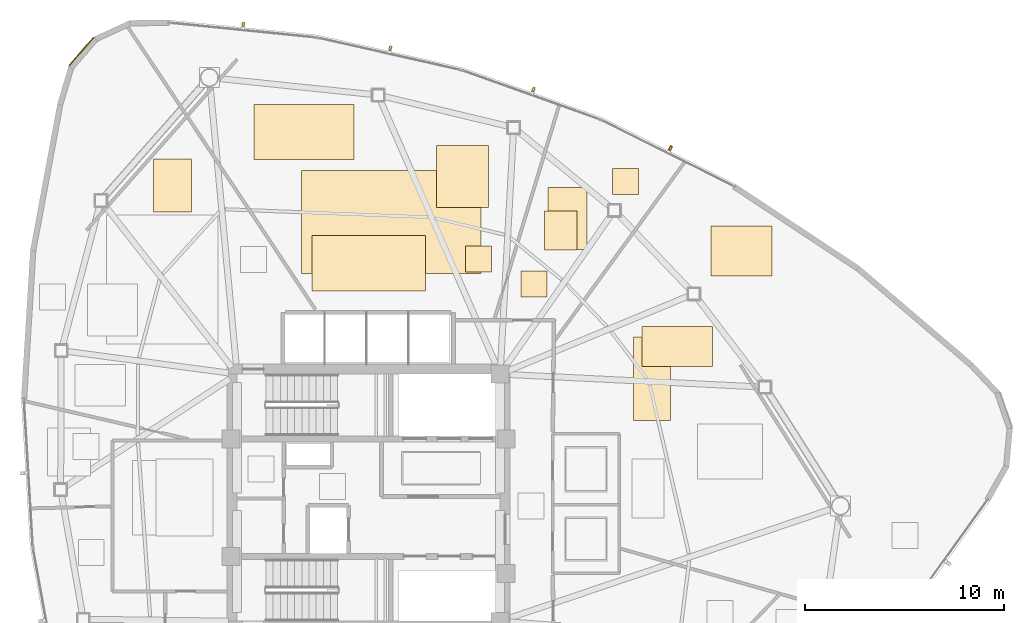
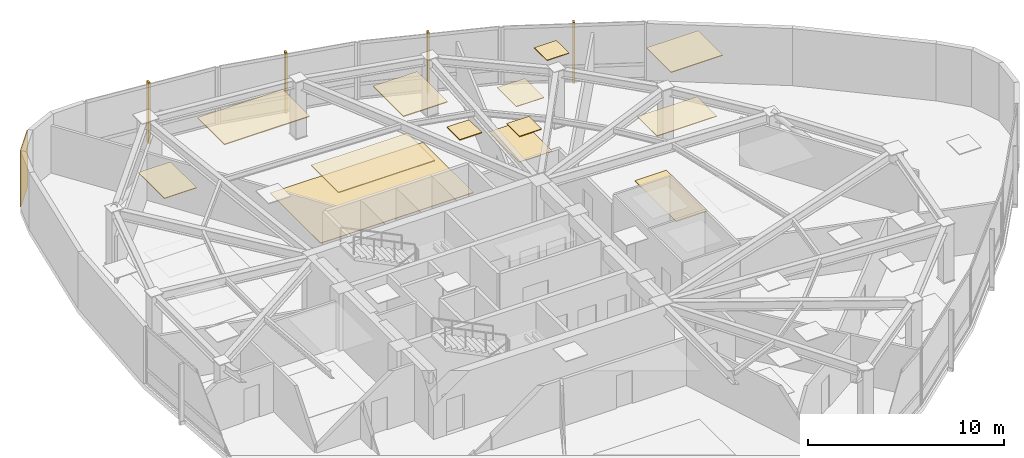
# One storey, part 17 of 17: 14 coverings, 4 shading devices.
"""IFC4 building model written with IfcOpenShell, lengths in metres."""

import ifcopenshell
import ifcopenshell.guid

model = None  # the IFC model being written
_history = None  # IfcOwnerHistory: only IFC2X3 demands one
_inside = {}  # id of a spatial element -> (the spatial element, [elements in it])
_under = {}  # id of a project, library or spatial element -> (it, [spatial elements below it])
_declared = {}  # id of a project -> (the project, [libraries it declares])
_typed = {}  # id of a type object -> (the type object, [elements of that type])
_made_of = {}  # id of a material, layer set ... -> (it, [elements and type objects made of it])


def new_model(schema):
    """Start an empty IFC model of exactly this schema.

    Asked for "IFC4X3", IfcOpenShell would pick the latest addendum, in which some entities
    have other attributes; the version numbers below select the first issue.
    IFC2X3 requires an IfcOwnerHistory on every rooted entity: one is made here for all.
    """
    global model, _history
    if schema == "IFC4X3":
        model = ifcopenshell.file(schema_version=(4, 3, 0, 0))
    else:
        model = ifcopenshell.file(schema=schema)
    _inside.clear()
    _under.clear()
    _declared.clear()
    _typed.clear()
    _made_of.clear()
    _history = None
    if model.schema == "IFC2X3":
        org = make("IfcOrganization", Name="unknown")
        user = make(
            "IfcPersonAndOrganization",
            ThePerson=make("IfcPerson", FamilyName="unknown"),
            TheOrganization=org,
        )
        app = make(
            "IfcApplication",
            ApplicationDeveloper=org,
            Version="unknown",
            ApplicationFullName="unknown",
            ApplicationIdentifier="unknown",
        )
        _history = make(
            "IfcOwnerHistory",
            OwningUser=user,
            OwningApplication=app,
            ChangeAction="ADDED",
            CreationDate=0,
        )
    return model


def make(cls, **values):
    """One entity of the class cls with the attributes given. An attribute that is None is left unset."""
    return model.create_entity(
        cls, **{name: value for name, value in values.items() if value is not None}
    )


def rooted(cls, **values):
    """An entity with a GlobalId (a new one), such as an element, a storey or a relation."""
    return make(cls, GlobalId=ifcopenshell.guid.new(), OwnerHistory=_history, **values)


def si_unit(unit_type, name, prefix=None):
    """IfcSIUnit, for example si_unit("LENGTHUNIT", "METRE", prefix="MILLI")."""
    return make("IfcSIUnit", UnitType=unit_type, Prefix=prefix, Name=name)


def assignment(units):
    """IfcUnitAssignment: the units of a project."""
    return None if units is None else make("IfcUnitAssignment", Units=units)


def point(xyz):
    """IfcCartesianPoint."""
    return None if xyz is None else make("IfcCartesianPoint", Coordinates=xyz)


def direction(xyz):
    """IfcDirection."""
    return None if xyz is None else make("IfcDirection", DirectionRatios=xyz)


def frame(location, z_axis=None, x_axis=None):
    """IfcAxis2Placement3D, a coordinate frame: its origin and axes. An axis left out is left unset."""
    return make(
        "IfcAxis2Placement3D",
        Location=point(location),
        Axis=direction(z_axis),
        RefDirection=direction(x_axis),
    )


def frame_2d(location, x_axis=None):
    """IfcAxis2Placement2D, a coordinate frame in the plane: its origin and x axis."""
    return make(
        "IfcAxis2Placement2D", Location=point(location), RefDirection=direction(x_axis)
    )


def origin():
    """The frame at (0, 0, 0) with its axes left unset."""
    return frame((0.0, 0.0, 0.0))


def origin_2d():
    """The frame at (0, 0) in the plane with its x axis left unset."""
    return frame_2d((0.0, 0.0))


def place(relative_to, where):
    """IfcLocalPlacement: puts the frame where relative to a parent placement (None: the world)."""
    return make(
        "IfcLocalPlacement", PlacementRelTo=relative_to, RelativePlacement=where
    )


def context(
    kind, dimensions, precision=None, world=None, true_north=None, identifier=None
):
    """IfcGeometricRepresentationContext, for example the 3D "Model" context."""
    return make(
        "IfcGeometricRepresentationContext",
        ContextIdentifier=identifier,
        ContextType=kind,
        CoordinateSpaceDimension=dimensions,
        Precision=precision,
        WorldCoordinateSystem=world,
        TrueNorth=true_north,
    )


def subcontext(parent, identifier, kind, view, scale=None):
    """IfcGeometricRepresentationSubContext, for example "Body" below "Model"."""
    return make(
        "IfcGeometricRepresentationSubContext",
        ContextIdentifier=identifier,
        ContextType=kind,
        ParentContext=parent,
        TargetScale=scale,
        TargetView=view,
    )


def project(units=None, contexts=None):
    """IfcProject with its units and contexts."""
    return rooted(
        "IfcProject",
        Name="project",
        RepresentationContexts=contexts,
        UnitsInContext=assignment(units),
    )


def spatial(cls, under=None, at=None, **own):
    """A site, building, storey or space (cls), placed at a placement, below another one or the project."""
    s = rooted(cls, ObjectPlacement=at, **own)
    if under is not None:
        _under.setdefault(under.id(), (under, []))[1].append(s)
    return s


def polyline(points):
    """IfcPolyline through the points."""
    return make("IfcPolyline", Points=[point(p) for p in points])


def profile(cls, at=None, kind="AREA", **sizes):
    """A parametric profile (cls). Its sizes go by their IFC names, for example OverallWidth=200.0."""
    return make(cls, ProfileType=kind, Position=at, **sizes)


def rectangle(**sizes):
    """IfcRectangleProfileDef."""
    return profile("IfcRectangleProfileDef", **sizes)


def outline(outer, holes=None, kind="AREA"):
    """IfcArbitraryClosedProfileDef: a profile drawn as a closed curve; with holes, ...WithVoids."""
    if holes is None:
        return make("IfcArbitraryClosedProfileDef", ProfileType=kind, OuterCurve=outer)
    return make(
        "IfcArbitraryProfileDefWithVoids",
        ProfileType=kind,
        OuterCurve=outer,
        InnerCurves=holes,
    )


def extrude(swept, where, along, depth):
    """IfcExtrudedAreaSolid: the profile swept, set in the frame where, extruded along a direction by depth."""
    return make(
        "IfcExtrudedAreaSolid",
        SweptArea=swept,
        Position=where,
        ExtrudedDirection=direction(along),
        Depth=depth,
    )


def shape(context_of_items, identifier, shape_type, items):
    """IfcShapeRepresentation: the items that make up one representation, for example the "Body"."""
    return make(
        "IfcShapeRepresentation",
        ContextOfItems=context_of_items,
        RepresentationIdentifier=identifier,
        RepresentationType=shape_type,
        Items=items,
    )


def source(mapping_origin, context_of_items, identifier, shape_type, items):
    """IfcRepresentationMap: a shape defined once, which mapped items show again and again."""
    return make(
        "IfcRepresentationMap",
        MappingOrigin=mapping_origin,
        MappedRepresentation=shape(context_of_items, identifier, shape_type, items),
    )


def transform(
    local_origin,
    x_axis=None,
    y_axis=None,
    z_axis=None,
    scale=None,
    scale2=None,
    scale3=None,
    uniform=True,
):
    """IfcCartesianTransformationOperator3D, or its non-uniform kind. x_axis, y_axis, z_axis: its Axis1, 2, 3."""
    if uniform:
        return make(
            "IfcCartesianTransformationOperator3D",
            Axis1=direction(x_axis),
            Axis2=direction(y_axis),
            LocalOrigin=point(local_origin),
            Scale=scale,
            Axis3=direction(z_axis),
        )
    return make(
        "IfcCartesianTransformationOperator3DnonUniform",
        Axis1=direction(x_axis),
        Axis2=direction(y_axis),
        LocalOrigin=point(local_origin),
        Scale=scale,
        Axis3=direction(z_axis),
        Scale2=scale2,
        Scale3=scale3,
    )


def mapped(mapping_source, mapping_target):
    """IfcMappedItem: shows the shape of a source again, moved by a transform."""
    return make(
        "IfcMappedItem", MappingSource=mapping_source, MappingTarget=mapping_target
    )


def material(Name=None, Category=None):
    """IfcMaterial."""
    return make("IfcMaterial", Name=Name, Category=Category)


def layer(
    of_material, thickness, ventilated=None, Name=None, Category=None, Priority=None
):
    """IfcMaterialLayer: one layer of a wall or slab, of a material (None: an air gap)."""
    return make(
        "IfcMaterialLayer",
        Material=of_material,
        LayerThickness=thickness,
        IsVentilated=ventilated,
        Name=Name,
        Category=Category,
        Priority=Priority,
    )


def layer_set(layers, Name=None):
    """IfcMaterialLayerSet."""
    return make("IfcMaterialLayerSet", MaterialLayers=layers, LayerSetName=Name)


def made_of(thing, what):
    """Note that an element or type object is made of a material, layer set ...; save() writes the relation."""
    if what is not None:
        _made_of.setdefault(what.id(), (what, []))[1].append(thing)
    return thing


def type_object(cls, material=None, **own):
    """A type object (cls), such as IfcWallType, which elements share."""
    return made_of(rooted(cls, **own), material)


def type_shapes(of_type, sources):
    """Give a type object the sources (RepresentationMaps) that its elements show as mapped items."""
    of_type.RepresentationMaps = sources


def element(
    cls,
    number,
    at=None,
    inside=None,
    cuts=None,
    type_object=None,
    material=None,
    context=None,
    identifier="Body",
    shape_type=None,
    held_by="IfcProductDefinitionShape",
    body=None,
    shapes=None,
    **own,
):
    """One element of the class cls, such as IfcWall. Its Tag is "e" and its number.

    at: its placement. inside: the storey or other place that contains it. cuts: it is an
    opening in that element (IfcRelVoidsElement). A single representation is given by context,
    identifier, shape_type and body (its items); several are given by shapes. held_by: the class
    of the entity that holds the representations. save() writes the other relations.
    """
    e = rooted(cls, Tag="e%d" % number, ObjectPlacement=at, **own)
    if body is not None:
        shapes = [shape(context, identifier, shape_type, body)]
    if shapes is not None:
        e.Representation = make(held_by, Representations=shapes)
    if inside is not None:
        _inside.setdefault(inside.id(), (inside, []))[1].append(e)
    if cuts is not None:
        rooted(
            "IfcRelVoidsElement", RelatingBuildingElement=cuts, RelatedOpeningElement=e
        )
    if type_object is not None:
        _typed.setdefault(type_object.id(), (type_object, []))[1].append(e)
    return made_of(e, material)


def aggregate(whole, parts):
    """IfcRelAggregates: a whole, such as a stair, and the parts it consists of."""
    return rooted("IfcRelAggregates", RelatingObject=whole, RelatedObjects=parts)


def save(model, path):
    """Write the relations noted so far, then the file.

    IfcRelAggregates (storeys below a building ...), IfcRelContainedInSpatialStructure (elements
    in a storey), IfcRelDefinesByType, IfcRelAssociatesMaterial and IfcRelDeclares: one each for
    every whole, place, type object, material and project.
    """
    for whole, parts in _under.values():
        aggregate(whole, parts)
    for where, things in _inside.values():
        rooted(
            "IfcRelContainedInSpatialStructure",
            RelatedElements=things,
            RelatingStructure=where,
        )
    for kind, things in _typed.values():
        rooted("IfcRelDefinesByType", RelatedObjects=things, RelatingType=kind)
    for what, things in _made_of.values():
        rooted("IfcRelAssociatesMaterial", RelatedObjects=things, RelatingMaterial=what)
    for by, libraries in _declared.values():
        rooted("IfcRelDeclares", RelatingContext=by, RelatedDefinitions=libraries)
    model.write(path)


model = new_model("IFC4")

# Units and contexts
model_context = context("Model", 3, precision=1e-05, world=origin(), true_north=direction((0.0, 1.0)))
body_context = subcontext(model_context, "Body", "Model", "MODEL_VIEW")
ifc_project = project(units=[si_unit("LENGTHUNIT", "METRE"), si_unit("AREAUNIT", "SQUARE_METRE"), si_unit("VOLUMEUNIT", "CUBIC_METRE"), si_unit("PLANEANGLEUNIT", "RADIAN"), si_unit("MASSUNIT", "GRAM", prefix="KILO")], contexts=[model_context])

# Site, building, storey
site_placement = place(None, origin())
site = spatial("IfcSite", under=ifc_project, at=site_placement, CompositionType="ELEMENT")
building_placement = place(site_placement, origin())
building = spatial("IfcBuilding", under=site, at=building_placement, Name="Tavelor Broadcast Tower", CompositionType="ELEMENT")
storey_placement = place(building_placement, frame((0.0, 0.0, 188.75)))
storey = spatial("IfcBuildingStorey", under=building, at=storey_placement, Name="L45", CompositionType="ELEMENT", Elevation=188.75)

# Coverings
ifc_material_1 = material(Name="Copper-Bronze Anodized Aluminium", Category="aluminium")
ifc_layer_1 = layer(ifc_material_1, 0.050048828125)
ifc_layer_set_1 = layer_set([ifc_layer_1], Name="Copper-Bronze Anodized Aluminium")
covering_type_1 = type_object("IfcCoveringType", Name="Champagne-Bronze Corner Pier Metal Cladding 50 mm", PredefinedType="CLADDING", material=ifc_layer_set_1)
covering_1_placement = place(storey_placement, frame((35.589599609375, 67.389892578125, 0.02001953125), z_axis=(0.0, 0.0, 1.0), x_axis=(-0.655400170912, -0.755281812285, 0.0)))
element("IfcCovering", 1, at=covering_1_placement, inside=storey, type_object=covering_type_1, Name="L45 Champagne-Bronze Corner Cladding 03", PredefinedType="CLADDING", context=body_context, shape_type="SweptSolid", body=[
    extrude(rectangle(XDim=1.86279296875, YDim=0.050048828125, at=origin_2d()), origin(), (0.0, 0.0, 1.0), 3.510009765625),
])
ifc_material_2 = material(Name="Acoustic Nylon Carpet Tile")
ifc_layer_2 = layer(ifc_material_2, 0.02001953125)
ifc_layer_set_2 = layer_set([ifc_layer_2], Name="Acoustic Nylon Carpet Tile")
covering_type_2 = type_object("IfcCoveringType", Name="Heavy-Duty Acoustic Broadcast Carpet Tile 20 mm", PredefinedType="FLOORING", material=ifc_layer_set_2)
covering_2_placement = place(storey_placement, origin())
element("IfcCovering", 2, at=covering_2_placement, inside=storey, type_object=covering_type_2, Name="L45 Broadcast Floor Finish 0678", PredefinedType="FLOORING", context=body_context, shape_type="SweptSolid", body=[
    extrude(outline(polyline([(63.284912109375, 48.86865234375), (65.14208984375, 48.86865234375), (65.14208984375, 53.0712890625), (63.284912109375, 53.0712890625), (63.284912109375, 48.86865234375)])), origin(), (0.0, 0.0, 1.0), 0.02001953125),
])
covering_3_placement = place(storey_placement, origin())
element("IfcCovering", 3, at=covering_3_placement, inside=storey, type_object=covering_type_2, Name="L45 Broadcast Floor Finish 0686", PredefinedType="FLOORING", context=body_context, shape_type="SweptSolid", body=[
    extrude(outline(polyline([(58.998046875, 57.4453125), (60.947265625, 57.4453125), (60.947265625, 60.5556640625), (58.998046875, 60.5556640625), (58.998046875, 57.4453125)])), origin(), (0.0, 0.0, 1.0), 0.02001953125),
])
ifc_material_3 = material(Name="Acoustic Hardwood Studio Flooring", Category="wood")
ifc_layer_3 = layer(ifc_material_3, 0.034912109375)
ifc_layer_set_3 = layer_set([ifc_layer_3], Name="Acoustic Hardwood Studio Flooring")
covering_type_3 = type_object("IfcCoveringType", Name="Isolated Studio Acoustic Elastomeric Floor Finish 35 mm", PredefinedType="FLOORING", material=ifc_layer_set_3)
covering_4_placement = place(storey_placement, origin())
element("IfcCovering", 4, at=covering_4_placement, inside=storey, type_object=covering_type_3, Name="L45 Broadcast Floor Finish 0685", PredefinedType="FLOORING", context=body_context, shape_type="SweptSolid", body=[
    extrude(outline(polyline([(46.624267578125, 56.251953125), (55.62646484375, 56.251953125), (55.62646484375, 61.406494140625), (46.624267578125, 61.406494140625), (46.624267578125, 56.251953125)])), origin(), (0.0, 0.0, 1.0), 0.034912109375),
])
ifc_material_4 = material(Name="Acoustic Perforated Timber Baffle", Category="wood")
ifc_layer_4 = layer(ifc_material_4, 0.054931640625)
ifc_layer_set_4 = layer_set([ifc_layer_4], Name="Acoustic Perforated Timber Baffle")
covering_type_4 = type_object("IfcCoveringType", Name="Micro-Perforated Acoustic Baffle Studio Ceiling 55 mm", PredefinedType="CEILING", material=ifc_layer_set_4)
covering_5_placement = place(storey_placement, frame((0.0, 0.0, 3.4951171875)))
element("IfcCovering", 5, at=covering_5_placement, inside=storey, type_object=covering_type_4, Name="L45 Suspended Acoustic Ceiling 1899", PredefinedType="CEILING", context=body_context, shape_type="SweptSolid", body=[
    extrude(outline(polyline([(54.8544921875, 56.322021484375), (56.154296875, 56.322021484375), (56.154296875, 57.6220703125), (54.8544921875, 57.6220703125), (54.8544921875, 56.322021484375)])), origin(), (0.0, 0.0, 1.0), 0.054931640625),
])
covering_6_placement = place(storey_placement, frame((0.0, 0.0, 3.4951171875)))
element("IfcCovering", 6, at=covering_6_placement, inside=storey, type_object=covering_type_4, Name="L45 Suspended Acoustic Ceiling 1900", PredefinedType="CEILING", context=body_context, shape_type="SweptSolid", body=[
    extrude(outline(polyline([(47.1611328125, 55.36083984375), (52.847412109375, 55.36083984375), (52.847412109375, 58.166015625), (47.1611328125, 58.166015625), (47.1611328125, 55.36083984375)])), origin(), (0.0, 0.0, 1.0), 0.054931640625),
])
covering_7_placement = place(storey_placement, frame((0.0, 0.0, 3.4951171875)))
element("IfcCovering", 7, at=covering_7_placement, inside=storey, type_object=covering_type_4, Name="L45 Suspended Acoustic Ceiling 1901", PredefinedType="CEILING", context=body_context, shape_type="SweptSolid", body=[
    extrude(outline(polyline([(44.25634765625, 61.967041015625), (49.278076171875, 61.967041015625), (49.278076171875, 64.71923828125), (44.25634765625, 64.71923828125), (44.25634765625, 61.967041015625)])), origin(), (0.0, 0.0, 1.0), 0.054931640625),
])
covering_8_placement = place(storey_placement, frame((0.0, 0.0, 3.4951171875)))
element("IfcCovering", 8, at=covering_8_placement, inside=storey, type_object=covering_type_4, Name="L45 Suspended Acoustic Ceiling 1902", PredefinedType="CEILING", context=body_context, shape_type="SweptSolid", body=[
    extrude(outline(polyline([(53.40771484375, 59.56494140625), (56.0146484375, 59.56494140625), (56.0146484375, 62.666015625), (53.40771484375, 62.666015625), (53.40771484375, 59.56494140625)])), origin(), (0.0, 0.0, 1.0), 0.054931640625),
])
ifc_material_5 = material(Name="Acoustic Mineral Fibre Tile")
ifc_layer_5 = layer(ifc_material_5, 0.0400390625)
ifc_layer_set_5 = layer_set([ifc_layer_5], Name="Acoustic Mineral Fibre Tile")
covering_type_5 = type_object("IfcCoveringType", Name="Suspended Acoustic Mineral-Fibre Office Ceiling 40 mm", PredefinedType="CEILING", material=ifc_layer_set_5)
covering_9_placement = place(storey_placement, frame((0.0, 0.0, 3.510009765625)))
element("IfcCovering", 9, at=covering_9_placement, inside=storey, type_object=covering_type_5, Name="L45 Suspended Acoustic Ceiling 1879", PredefinedType="CEILING", context=body_context, shape_type="SweptSolid", body=[
    extrude(outline(polyline([(67.179443359375, 56.127197265625), (70.228271484375, 56.127197265625), (70.228271484375, 58.643310546875), (67.179443359375, 58.643310546875), (67.179443359375, 56.127197265625)])), origin(), (0.0, 0.0, 1.0), 0.0400390625),
])
covering_10_placement = place(storey_placement, frame((0.0, 0.0, 3.510009765625)))
element("IfcCovering", 10, at=covering_10_placement, inside=storey, type_object=covering_type_5, Name="L45 Suspended Acoustic Ceiling 1880", PredefinedType="CEILING", context=body_context, shape_type="SweptSolid", body=[
    extrude(outline(polyline([(63.724365234375, 51.583740234375), (67.2587890625, 51.583740234375), (67.2587890625, 53.588134765625), (63.724365234375, 53.588134765625), (63.724365234375, 51.583740234375)])), origin(), (0.0, 0.0, 1.0), 0.0400390625),
])
covering_11_placement = place(storey_placement, frame((0.0, 0.0, 3.510009765625)))
element("IfcCovering", 11, at=covering_11_placement, inside=storey, type_object=covering_type_5, Name="L45 Suspended Acoustic Ceiling 1896", PredefinedType="CEILING", context=body_context, shape_type="SweptSolid", body=[
    extrude(outline(polyline([(39.20849609375, 59.33544921875), (41.107666015625, 59.33544921875), (41.107666015625, 61.997314453125), (39.20849609375, 61.997314453125), (39.20849609375, 59.33544921875)])), origin(), (0.0, 0.0, 1.0), 0.0400390625),
])
covering_12_placement = place(storey_placement, frame((0.0, 0.0, 3.510009765625)))
element("IfcCovering", 12, at=covering_12_placement, inside=storey, type_object=covering_type_5, Name="L45 Suspended Acoustic Ceiling 1903", PredefinedType="CEILING", context=body_context, shape_type="SweptSolid", body=[
    extrude(outline(polyline([(57.640380859375, 55.061767578125), (58.940185546875, 55.061767578125), (58.940185546875, 56.36181640625), (57.640380859375, 56.36181640625), (57.640380859375, 55.061767578125)])), origin(), (0.0, 0.0, 1.0), 0.0400390625),
])
covering_13_placement = place(storey_placement, frame((0.0, 0.0, 3.510009765625)))
element("IfcCovering", 13, at=covering_13_placement, inside=storey, type_object=covering_type_5, Name="L45 Suspended Acoustic Ceiling 1904", PredefinedType="CEILING", context=body_context, shape_type="SweptSolid", body=[
    extrude(outline(polyline([(58.826416015625, 57.427490234375), (60.450927734375, 57.427490234375), (60.450927734375, 59.388671875), (58.826416015625, 59.388671875), (58.826416015625, 57.427490234375)])), origin(), (0.0, 0.0, 1.0), 0.0400390625),
])
covering_14_placement = place(storey_placement, frame((0.0, 0.0, 3.510009765625)))
element("IfcCovering", 14, at=covering_14_placement, inside=storey, type_object=covering_type_5, Name="L45 Suspended Acoustic Ceiling 1905", PredefinedType="CEILING", context=body_context, shape_type="SweptSolid", body=[
    extrude(outline(polyline([(62.2294921875, 60.205078125), (63.529541015625, 60.205078125), (63.529541015625, 61.505126953125), (62.2294921875, 61.505126953125), (62.2294921875, 60.205078125)])), origin(), (0.0, 0.0, 1.0), 0.0400390625),
])

# Shading devices
ifc_material_6 = material(Name="Kiln-Fired Glazed Terracotta", Category="masonry")
shading_device_type = type_object("IfcShadingDeviceType", Name="Extruded Terracotta Baguette Sun-Screen 110x240", PredefinedType="JALOUSIE", material=ifc_material_6)
shared_shape = source(origin(), body_context, "Body", "SweptSolid", [
    extrude(rectangle(XDim=0.110107421875, YDim=0.239990234375, at=origin_2d()), origin(), (0.0, 0.0, 1.0), 3.7900390625),
])
type_shapes(shading_device_type, [shared_shape])
for number, where, z_axis, x_axis, name in (
    (15, (65.1484375, 62.547119140625, -0.260009765625), (0.0, 0.0, 1.0), (-0.89438856037, 0.447290848419, 0.0), "L45 Terracotta Baguette Fin 477"),
    (16, (58.271484375, 65.480224609375, -0.260009765625), (0.0, 0.0, 1.0), (-0.941881681629, 0.335944783874, 0.0), "L45 Terracotta Baguette Fin 478"),
    (17, (51.09033203125, 67.559814453125, -0.260009765625), (0.0, 0.0, 1.0), (-0.97564952142, 0.219335385547, 0.0), "L45 Terracotta Baguette Fin 479"),
    (18, (43.710205078125, 68.7548828125, -0.260009765625), (0.0, 0.0, 1.0), (-0.995020840207, 0.099667083604, 0.0), "L45 Terracotta Baguette Fin 480"),
):
    element("IfcShadingDevice", number, at=place(storey_placement, frame(where, z_axis=z_axis, x_axis=x_axis)), inside=storey, type_object=shading_device_type, Name=name, PredefinedType="JALOUSIE", context=body_context, shape_type="MappedRepresentation", body=[
        mapped(shared_shape, transform((0.0, 0.0, 0.0), scale=1.0)),
    ])

save(model, "model.ifc")
